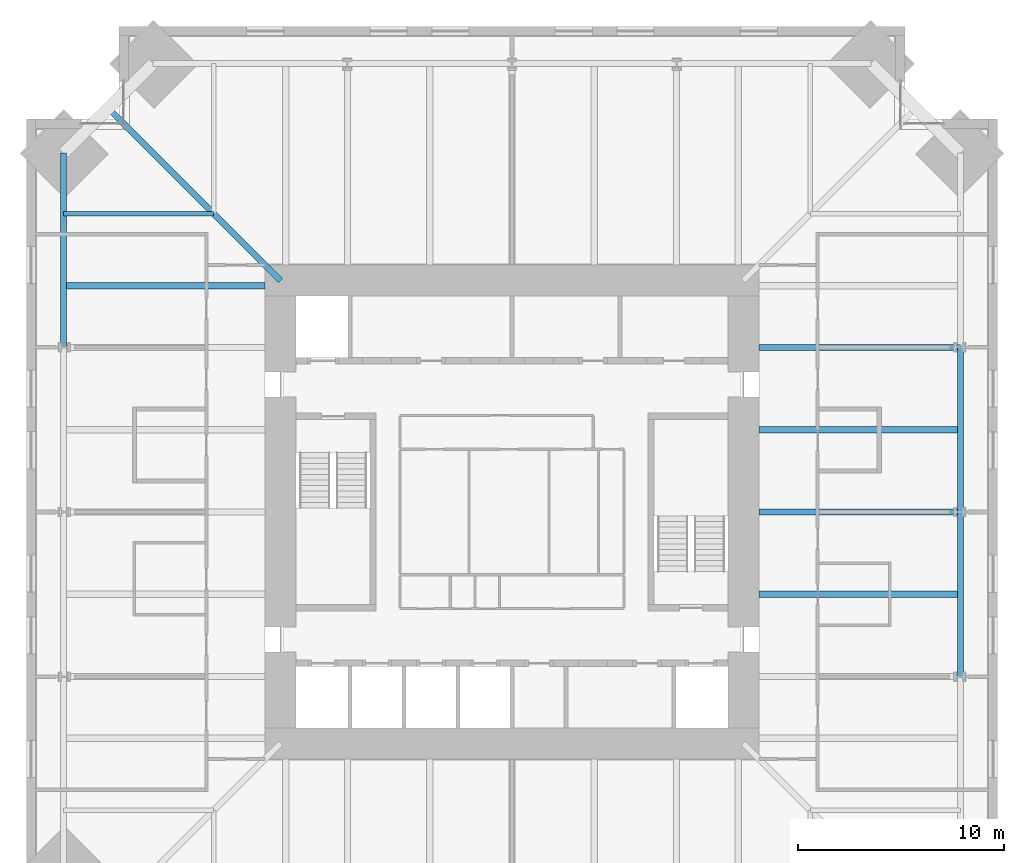
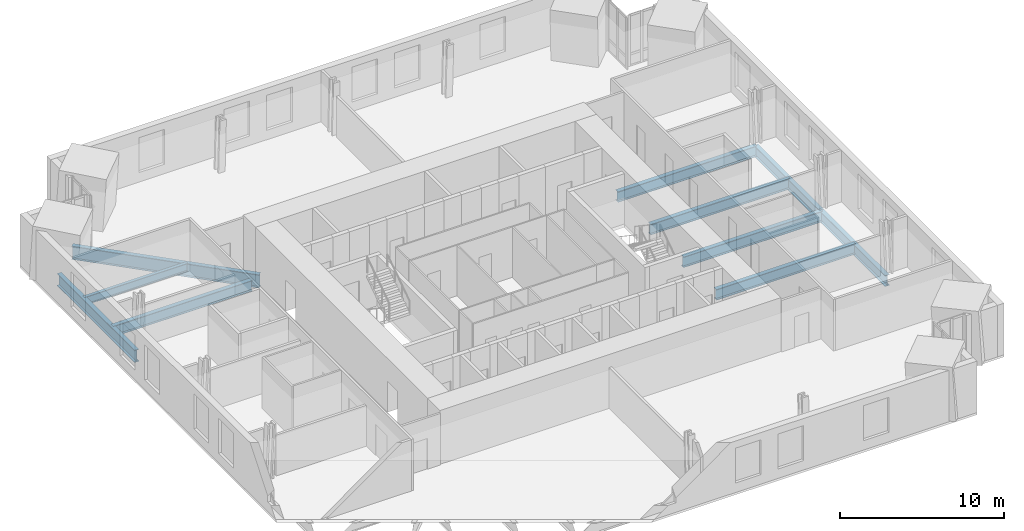
# One storey, part 5 of 15: 10 beams.
"""IFC4 building model written with IfcOpenShell, lengths in metres."""

from ifc_helpers import new_model, si_unit, direction, frame, origin, origin_2d, place, context, subcontext, project, spatial, i_section, extrude, material, material_profile, profile_set, type_object, element, save


model = new_model("IFC4")

# Units and contexts
model_context = context("Model", 3, precision=1e-05, world=origin(), true_north=direction((0.0, 1.0)))
body_context = subcontext(model_context, "Body", "Model", "MODEL_VIEW")
ifc_project = project(units=[si_unit("LENGTHUNIT", "METRE"), si_unit("AREAUNIT", "SQUARE_METRE"), si_unit("VOLUMEUNIT", "CUBIC_METRE"), si_unit("PLANEANGLEUNIT", "RADIAN"), si_unit("MASSUNIT", "GRAM", prefix="KILO")], contexts=[model_context])

# Site, building, storey
site_placement = place(None, origin())
site = spatial("IfcSite", under=ifc_project, at=site_placement, CompositionType="ELEMENT")
building_placement = place(site_placement, origin())
building = spatial("IfcBuilding", under=site, at=building_placement, Name="Peilmerk Tower", CompositionType="ELEMENT")
storey_placement = place(building_placement, frame((0.0, 0.0, 225.800048828125)))
storey = spatial("IfcBuildingStorey", under=building, at=storey_placement, Name="L49", CompositionType="ELEMENT", Elevation=225.800048828125)

# Beams
ifc_material = material(Name="Steel S355", Category="steel")
ifc_material_profile_1 = material_profile(ifc_material, i_section(OverallWidth=0.219970703125, OverallDepth=0.60009765625, WebThickness=0.011962890625, FlangeThickness=0.01904296875, at=origin_2d()), Name="IPE 600")
ifc_profile_set_1 = profile_set([ifc_material_profile_1], Name="Steel S355")
beam_type_1 = type_object("IfcBeamType", Name="B10 IPE 600 floor beam", PredefinedType="BEAM", material=ifc_profile_set_1)
beam_1_placement = place(storey_placement, frame((-14.5, 14.5, -0.469970703125), z_axis=(-1.0, 0.0, 0.0), x_axis=(0.0, -1.0, 0.0)))
element("IfcBeam", 1, at=beam_1_placement, inside=storey, type_object=beam_type_1, Name="Floor beam L49", PredefinedType="BEAM", context=body_context, shape_type="SweptSolid", body=[
    extrude(i_section(OverallWidth=0.219970703125, OverallDepth=0.60009765625, WebThickness=0.011962890625, FlangeThickness=0.01904296875, at=origin_2d()), origin(), (0.0, 0.0, 1.0), 7.2919921875),
])
ifc_material_profile_2 = material_profile(ifc_material, i_section(OverallWidth=0.300048828125, OverallDepth=0.989990234375, WebThickness=0.0166015625, FlangeThickness=0.031005859375, at=origin_2d()), Name="HEA 1000")
ifc_profile_set_2 = profile_set([ifc_material_profile_2], Name="Steel S355")
beam_type_2 = type_object("IfcBeamType", Name="B14 HEA 1000 floor girder", PredefinedType="BEAM", material=ifc_profile_set_2)
beam_2_placement = place(storey_placement, frame((-11.25, 11.25, -0.6650390625), z_axis=(-0.707106781187, 0.707106781187, 0.0), x_axis=(-0.707106781187, -0.707106781187, 0.0)))
element("IfcBeam", 2, at=beam_2_placement, inside=storey, type_object=beam_type_2, Name="Corner girder L49", PredefinedType="BEAM", context=body_context, shape_type="SweptSolid", body=[
    extrude(i_section(OverallWidth=0.300048828125, OverallDepth=0.989990234375, WebThickness=0.0166015625, FlangeThickness=0.031005859375, at=origin_2d()), origin(), (0.0, 0.0, 1.0), 11.832763671875),
])
ifc_material_profile_3 = material_profile(ifc_material, i_section(OverallWidth=0.302978515625, OverallDepth=0.81396484375, WebThickness=0.02099609375, FlangeThickness=0.0400390625, at=origin_2d()), Name="HEM 800")
ifc_profile_set_3 = profile_set([ifc_material_profile_3], Name="Steel S355")
beam_type_3 = type_object("IfcBeamType", Name="B15 HEM 800 edge beam", PredefinedType="SPANDREL", material=ifc_profile_set_3)
for number, where, z_axis, x_axis, name in (
    (3, (21.7919921875, -8.0, -0.5771484375), (0.0, 1.0, 0.0), (-1.0, 0.0, 0.0), "Edge beam L49"),
    (4, (21.7919921875, 0.0, -0.5771484375), (0.0, 1.0, 0.0), (-1.0, 0.0, 0.0), "Edge beam L49"),
):
    element("IfcBeam", number, at=place(storey_placement, frame(where, z_axis=z_axis, x_axis=x_axis)), inside=storey, type_object=beam_type_3, Name=name, PredefinedType="SPANDREL", context=body_context, shape_type="SweptSolid", body=[
        extrude(i_section(OverallWidth=0.302978515625, OverallDepth=0.81396484375, WebThickness=0.02099609375, FlangeThickness=0.0400390625, at=origin_2d()), origin(), (0.0, 0.0, 1.0), 8.0),
    ])
ifc_material_profile_4 = material_profile(ifc_material, i_section(OverallWidth=0.302001953125, OverallDepth=0.909912109375, WebThickness=0.02099609375, FlangeThickness=0.0400390625, at=origin_2d()), Name="HEM 900")
ifc_profile_set_4 = profile_set([ifc_material_profile_4], Name="Steel S355")
beam_type_4 = type_object("IfcBeamType", Name="B2 HEM 900 edge beam", PredefinedType="SPANDREL", material=ifc_profile_set_4)
beam_3_placement = place(storey_placement, frame((-21.7919921875, 17.44189453125, -0.625), z_axis=(0.0, -1.0, 0.0), x_axis=(1.0, 0.0, 0.0)))
element("IfcBeam", 5, at=beam_3_placement, inside=storey, type_object=beam_type_4, Name="Edge beam L49", PredefinedType="SPANDREL", context=body_context, shape_type="SweptSolid", body=[
    extrude(i_section(OverallWidth=0.302001953125, OverallDepth=0.909912109375, WebThickness=0.02099609375, FlangeThickness=0.0400390625, at=origin_2d()), origin(), (0.0, 0.0, 1.0), 9.44189453125),
])
ifc_material_profile_5 = material_profile(ifc_material, i_section(OverallWidth=0.300048828125, OverallDepth=0.7900390625, WebThickness=0.014892578125, FlangeThickness=0.028076171875, at=origin_2d()), Name="HEA 800")
ifc_profile_set_5 = profile_set([ifc_material_profile_5], Name="Steel S355")
beam_type_5 = type_object("IfcBeamType", Name="B3 HEA 800 floor beam", PredefinedType="BEAM", material=ifc_profile_set_5)
for number, where, z_axis, x_axis, name in (
    (6, (12.0, -4.0, -0.56494140625), (1.0, 0.0, 0.0), (0.0, 1.0, 0.0), "Floor beam L49"),
    (7, (12.0, 0.0, -0.56494140625), (1.0, 0.0, 0.0), (0.0, 1.0, 0.0), "Floor beam L49"),
    (8, (12.0, 4.0, -0.56494140625), (1.0, 0.0, 0.0), (0.0, 1.0, 0.0), "Floor beam L49"),
    (9, (12.0, 8.0, -0.56494140625), (1.0, 0.0, 0.0), (0.0, 1.0, 0.0), "Floor beam L49"),
    (10, (-12.0, 11.0, -0.56494140625), (-1.0, 0.0, 0.0), (0.0, -1.0, 0.0), "Floor beam L49"),
):
    element("IfcBeam", number, at=place(storey_placement, frame(where, z_axis=z_axis, x_axis=x_axis)), inside=storey, type_object=beam_type_5, Name=name, PredefinedType="BEAM", context=body_context, shape_type="SweptSolid", body=[
        extrude(i_section(OverallWidth=0.300048828125, OverallDepth=0.7900390625, WebThickness=0.014892578125, FlangeThickness=0.028076171875, at=origin_2d()), origin(), (0.0, 0.0, 1.0), 9.7919921875),
    ])

save(model, "model.ifc")
